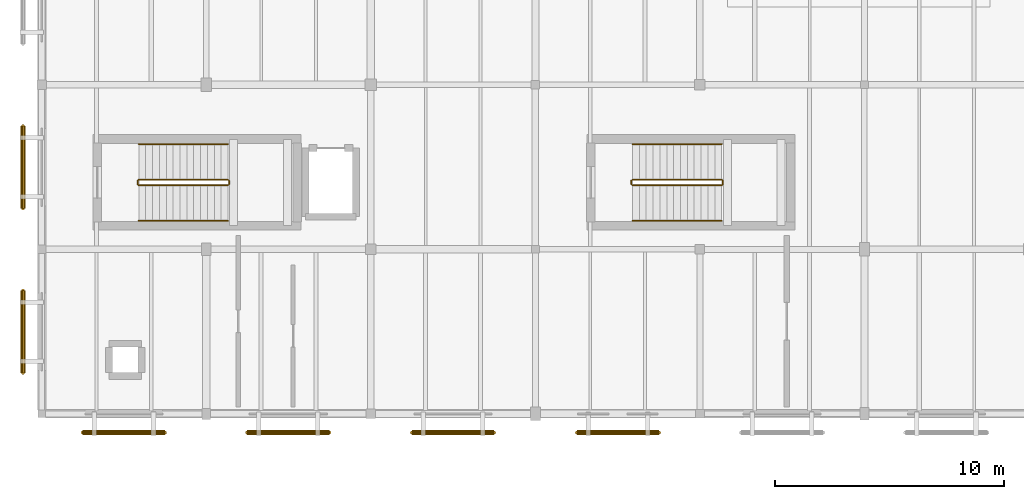
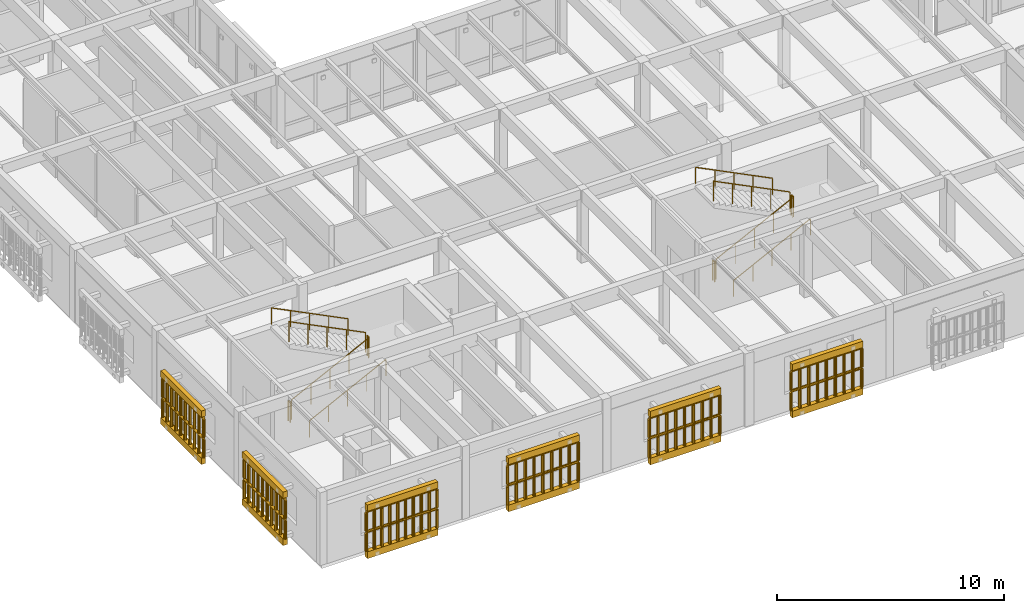
# One storey, part 96 of 112: 24 railings, 12 coverings.
"""IFC4 building model written with IfcOpenShell, lengths in metres."""

from ifc_helpers import new_model, si_unit, direction, frame, origin, origin_2d, place, context, subcontext, project, spatial, polyline, circle, outline, extrude, material, layer, layer_set, type_object, element, save


model = new_model("IFC4")

# Units and contexts
model_context = context("Model", 3, precision=1e-05, world=origin(), true_north=direction((0.0, 1.0)))
body_context = subcontext(model_context, "Body", "Model", "MODEL_VIEW")
ifc_project = project(units=[si_unit("LENGTHUNIT", "METRE"), si_unit("AREAUNIT", "SQUARE_METRE"), si_unit("VOLUMEUNIT", "CUBIC_METRE"), si_unit("PLANEANGLEUNIT", "RADIAN"), si_unit("MASSUNIT", "GRAM", prefix="KILO")], contexts=[model_context])

# Site, building, storey
site_placement = place(None, origin())
site = spatial("IfcSite", under=ifc_project, at=site_placement, CompositionType="ELEMENT")
building_placement = place(site_placement, origin())
building = spatial("IfcBuilding", under=site, at=building_placement, Name="Mazaris Harbour Polytechnic", CompositionType="ELEMENT")
storey_placement = place(building_placement, frame((0.0, 0.0, 13.800048828125)))
storey = spatial("IfcBuildingStorey", under=building, at=storey_placement, Name="L03", CompositionType="ELEMENT", Elevation=13.800048828125)

# Railings
ifc_material_1 = material(Name="Perforated Earth-Coloured Terracotta Block", Category="masonry")
railing_type_1 = type_object("IfcRailingType", Name="Perforated Earth-Block Claustra Lattice 1040", PredefinedType="BALUSTRADE", material=ifc_material_1)
for number, where, name in (
    (1, (5.39501953125, 6.3798828125, 0.52001953125), "V4 L03 Lower Perforated Terracotta Block Screen 247"),
    (2, (5.39501953125, 6.3798828125, 1.60986328125), "V4 L03 Upper Perforated Terracotta Block Screen 247"),
):
    element("IfcRailing", number, at=place(storey_placement, frame(where)), inside=storey, type_object=railing_type_1, Name=name, PredefinedType="BALUSTRADE", context=body_context, shape_type="SweptSolid", body=[
        extrude(circle(Radius=0.06982421875, at=origin_2d()), frame((0.0, 0.0, 1.02001953125), z_axis=(-1.0, 0.0, 0.0), x_axis=(0.0, -1.0, 0.0)), (0.0, 0.0, 1.0), 3.60009765625),
        extrude(circle(Radius=0.074951171875, at=origin_2d()), origin(), (0.0, 0.0, 1.0), 0.9501953125),
        extrude(circle(Radius=0.074951171875, at=origin_2d()), frame((-0.39990234375, 0.0, 0.0)), (0.0, 0.0, 1.0), 0.9501953125),
        extrude(circle(Radius=0.074951171875, at=origin_2d()), frame((-0.800048828125, 0.0, 0.0)), (0.0, 0.0, 1.0), 0.9501953125),
        extrude(circle(Radius=0.074951171875, at=origin_2d()), frame((-1.199951171875, 0.0, 0.0)), (0.0, 0.0, 1.0), 0.9501953125),
        extrude(circle(Radius=0.074951171875, at=origin_2d()), frame((-1.60009765625, 0.0, 0.0)), (0.0, 0.0, 1.0), 0.9501953125),
        extrude(circle(Radius=0.074951171875, at=origin_2d()), frame((-2.0, 0.0, 0.0)), (0.0, 0.0, 1.0), 0.9501953125),
        extrude(circle(Radius=0.074951171875, at=origin_2d()), frame((-2.400146484375, 0.0, 0.0)), (0.0, 0.0, 1.0), 0.9501953125),
        extrude(circle(Radius=0.074951171875, at=origin_2d()), frame((-2.800048828125, 0.0, 0.0)), (0.0, 0.0, 1.0), 0.9501953125),
        extrude(circle(Radius=0.074951171875, at=origin_2d()), frame((-3.2001953125, 0.0, 0.0)), (0.0, 0.0, 1.0), 0.9501953125),
        extrude(circle(Radius=0.074951171875, at=origin_2d()), frame((-3.60009765625, 0.0, 0.0)), (0.0, 0.0, 1.0), 0.9501953125),
    ])
for number, where, name in (
    (3, (12.5849609375, 6.3798828125, 0.52001953125), "V4 L03 Lower Perforated Terracotta Block Screen 248"),
    (4, (12.5849609375, 6.3798828125, 1.60986328125), "V4 L03 Upper Perforated Terracotta Block Screen 248"),
    (5, (19.794921875, 6.3798828125, 0.52001953125), "V4 L03 Lower Perforated Terracotta Block Screen 249"),
    (6, (19.794921875, 6.3798828125, 1.60986328125), "V4 L03 Upper Perforated Terracotta Block Screen 249"),
    (7, (27.014892578125, 6.3798828125, 0.52001953125), "V4 L03 Lower Perforated Terracotta Block Screen 250"),
    (8, (27.014892578125, 6.3798828125, 1.60986328125), "V4 L03 Upper Perforated Terracotta Block Screen 250"),
):
    element("IfcRailing", number, at=place(storey_placement, frame(where)), inside=storey, type_object=railing_type_1, Name=name, PredefinedType="BALUSTRADE", context=body_context, shape_type="SweptSolid", body=[
        extrude(circle(Radius=0.06982421875, at=origin_2d()), frame((0.0, 0.0, 1.02001953125), z_axis=(-1.0, 0.0, 0.0), x_axis=(0.0, -1.0, 0.0)), (0.0, 0.0, 1.0), 3.599853515625),
        extrude(circle(Radius=0.074951171875, at=origin_2d()), origin(), (0.0, 0.0, 1.0), 0.9501953125),
        extrude(circle(Radius=0.074951171875, at=origin_2d()), frame((-0.449951171875, 0.0, 0.0)), (0.0, 0.0, 1.0), 0.9501953125),
        extrude(circle(Radius=0.074951171875, at=origin_2d()), frame((-0.89990234375, 0.0, 0.0)), (0.0, 0.0, 1.0), 0.9501953125),
        extrude(circle(Radius=0.074951171875, at=origin_2d()), frame((-1.349853515625, 0.0, 0.0)), (0.0, 0.0, 1.0), 0.9501953125),
        extrude(circle(Radius=0.074951171875, at=origin_2d()), frame((-1.7998046875, 0.0, 0.0)), (0.0, 0.0, 1.0), 0.9501953125),
        extrude(circle(Radius=0.074951171875, at=origin_2d()), frame((-2.25, 0.0, 0.0)), (0.0, 0.0, 1.0), 0.9501953125),
        extrude(circle(Radius=0.074951171875, at=origin_2d()), frame((-2.699951171875, 0.0, 0.0)), (0.0, 0.0, 1.0), 0.9501953125),
        extrude(circle(Radius=0.074951171875, at=origin_2d()), frame((-3.14990234375, 0.0, 0.0)), (0.0, 0.0, 1.0), 0.9501953125),
        extrude(circle(Radius=0.074951171875, at=origin_2d()), frame((-3.599853515625, 0.0, 0.0)), (0.0, 0.0, 1.0), 0.9501953125),
    ])
for number, where, name in (
    (9, (-0.820068359375, 8.989990234375, 0.52001953125), "V4 L03 Lower Perforated Terracotta Block Screen 259"),
    (10, (-0.820068359375, 8.989990234375, 1.60986328125), "V4 L03 Upper Perforated Terracotta Block Screen 259"),
    (11, (-0.820068359375, 16.18994140625, 0.52001953125), "V4 L03 Lower Perforated Terracotta Block Screen 260"),
    (12, (-0.820068359375, 16.18994140625, 1.60986328125), "V4 L03 Upper Perforated Terracotta Block Screen 260"),
):
    element("IfcRailing", number, at=place(storey_placement, frame(where)), inside=storey, type_object=railing_type_1, Name=name, PredefinedType="BALUSTRADE", context=body_context, shape_type="SweptSolid", body=[
        extrude(circle(Radius=0.06982421875, at=origin_2d()), frame((0.0, 0.0, 1.02001953125), z_axis=(0.0, 1.0, 0.0), x_axis=(-1.0, 0.0, 0.0)), (0.0, 0.0, 1.0), 3.60009765625),
        extrude(circle(Radius=0.074951171875, at=origin_2d()), origin(), (0.0, 0.0, 1.0), 0.9501953125),
        extrude(circle(Radius=0.074951171875, at=origin_2d()), frame((0.0, 0.39990234375, 0.0)), (0.0, 0.0, 1.0), 0.9501953125),
        extrude(circle(Radius=0.074951171875, at=origin_2d()), frame((0.0, 0.800048828125, 0.0)), (0.0, 0.0, 1.0), 0.9501953125),
        extrude(circle(Radius=0.074951171875, at=origin_2d()), frame((0.0, 1.199951171875, 0.0)), (0.0, 0.0, 1.0), 0.9501953125),
        extrude(circle(Radius=0.074951171875, at=origin_2d()), frame((0.0, 1.60009765625, 0.0)), (0.0, 0.0, 1.0), 0.9501953125),
        extrude(circle(Radius=0.074951171875, at=origin_2d()), frame((0.0, 2.0, 0.0)), (0.0, 0.0, 1.0), 0.9501953125),
        extrude(circle(Radius=0.074951171875, at=origin_2d()), frame((0.0, 2.400146484375, 0.0)), (0.0, 0.0, 1.0), 0.9501953125),
        extrude(circle(Radius=0.074951171875, at=origin_2d()), frame((0.0, 2.800048828125, 0.0)), (0.0, 0.0, 1.0), 0.9501953125),
        extrude(circle(Radius=0.074951171875, at=origin_2d()), frame((0.0, 3.2001953125, 0.0)), (0.0, 0.0, 1.0), 0.9501953125),
        extrude(circle(Radius=0.074951171875, at=origin_2d()), frame((0.0, 3.60009765625, 0.0)), (0.0, 0.0, 1.0), 0.9501953125),
    ])
ifc_material_2 = material(Name="Stainless Steel S355", Category="steel")
railing_type_2 = type_object("IfcRailingType", Name="Stair Wall Handrail 900", PredefinedType="HANDRAIL", material=ifc_material_2)
railing_1_placement = place(storey_placement, frame((4.25, 15.64990234375, 0.14990234375)))
element("IfcRailing", 13, at=railing_1_placement, inside=storey, type_object=railing_type_2, Name="L03 ST07 stair handrail 1", PredefinedType="HANDRAIL", context=body_context, shape_type="SweptSolid", body=[
    extrude(circle(Radius=0.02392578125, at=origin_2d()), frame((0.0, 0.0, 0.8759765625), z_axis=(0.894427191, 0.0, 0.4472135955), x_axis=(0.0, 1.0, 0.0)), (0.0, 0.0, 1.0), 4.360107421875),
    extrude(circle(Radius=0.02099609375, at=origin_2d()), origin(), (0.0, 0.0, 1.0), 0.851806640625),
    extrude(circle(Radius=0.02099609375, at=origin_2d()), frame((0.97509765625, 0.0, 0.487548828125)), (0.0, 0.0, 1.0), 0.851806640625),
    extrude(circle(Radius=0.02099609375, at=origin_2d()), frame((1.949951171875, 0.0, 0.97509765625)), (0.0, 0.0, 1.0), 0.851806640625),
    extrude(circle(Radius=0.02099609375, at=origin_2d()), frame((2.9248046875, 0.0, 1.46240234375)), (0.0, 0.0, 1.0), 0.851806640625),
    extrude(circle(Radius=0.02099609375, at=origin_2d()), frame((3.89990234375, 0.0, 1.949951171875)), (0.0, 0.0, 1.0), 0.851806640625),
])
railing_2_placement = place(storey_placement, frame((8.14990234375, 19.0, 2.25)))
element("IfcRailing", 14, at=railing_2_placement, inside=storey, type_object=railing_type_2, Name="L03 ST07 stair handrail 2", PredefinedType="HANDRAIL", context=body_context, shape_type="SweptSolid", body=[
    extrude(circle(Radius=0.02392578125, at=origin_2d()), frame((0.0, 0.0, 0.8759765625), z_axis=(-0.894427191, 0.0, 0.4472135955), x_axis=(0.0, -1.0, 0.0)), (0.0, 0.0, 1.0), 4.360107421875),
    extrude(circle(Radius=0.02099609375, at=origin_2d()), origin(), (0.0, 0.0, 1.0), 0.851806640625),
    extrude(circle(Radius=0.02099609375, at=origin_2d()), frame((-0.97509765625, 0.0, 0.487548828125)), (0.0, 0.0, 1.0), 0.851806640625),
    extrude(circle(Radius=0.02099609375, at=origin_2d()), frame((-1.949951171875, 0.0, 0.97509765625)), (0.0, 0.0, 1.0), 0.851806640625),
    extrude(circle(Radius=0.02099609375, at=origin_2d()), frame((-2.9248046875, 0.0, 1.46240234375)), (0.0, 0.0, 1.0), 0.851806640625),
    extrude(circle(Radius=0.02099609375, at=origin_2d()), frame((-3.89990234375, 0.0, 1.949951171875)), (0.0, 0.0, 1.0), 0.851806640625),
])
railing_3_placement = place(storey_placement, frame((25.85009765625, 15.64990234375, 0.14990234375)))
element("IfcRailing", 15, at=railing_3_placement, inside=storey, type_object=railing_type_2, Name="L03 ST08 stair handrail 1", PredefinedType="HANDRAIL", context=body_context, shape_type="SweptSolid", body=[
    extrude(circle(Radius=0.02392578125, at=origin_2d()), frame((0.0, 0.0, 0.8759765625), z_axis=(0.894427191, 0.0, 0.4472135955), x_axis=(0.0, 1.0, 0.0)), (0.0, 0.0, 1.0), 4.360107421875),
    extrude(circle(Radius=0.02099609375, at=origin_2d()), origin(), (0.0, 0.0, 1.0), 0.851806640625),
    extrude(circle(Radius=0.02099609375, at=origin_2d()), frame((0.97509765625, 0.0, 0.487548828125)), (0.0, 0.0, 1.0), 0.851806640625),
    extrude(circle(Radius=0.02099609375, at=origin_2d()), frame((1.949951171875, 0.0, 0.97509765625)), (0.0, 0.0, 1.0), 0.851806640625),
    extrude(circle(Radius=0.02099609375, at=origin_2d()), frame((2.9248046875, 0.0, 1.46240234375)), (0.0, 0.0, 1.0), 0.851806640625),
    extrude(circle(Radius=0.02099609375, at=origin_2d()), frame((3.89990234375, 0.0, 1.949951171875)), (0.0, 0.0, 1.0), 0.851806640625),
])
railing_4_placement = place(storey_placement, frame((29.75, 19.0, 2.25)))
element("IfcRailing", 16, at=railing_4_placement, inside=storey, type_object=railing_type_2, Name="L03 ST08 stair handrail 2", PredefinedType="HANDRAIL", context=body_context, shape_type="SweptSolid", body=[
    extrude(circle(Radius=0.02392578125, at=origin_2d()), frame((0.0, 0.0, 0.8759765625), z_axis=(-0.894427191, 0.0, 0.4472135955), x_axis=(0.0, -1.0, 0.0)), (0.0, 0.0, 1.0), 4.360107421875),
    extrude(circle(Radius=0.02099609375, at=origin_2d()), origin(), (0.0, 0.0, 1.0), 0.851806640625),
    extrude(circle(Radius=0.02099609375, at=origin_2d()), frame((-0.97509765625, 0.0, 0.487548828125)), (0.0, 0.0, 1.0), 0.851806640625),
    extrude(circle(Radius=0.02099609375, at=origin_2d()), frame((-1.949951171875, 0.0, 0.97509765625)), (0.0, 0.0, 1.0), 0.851806640625),
    extrude(circle(Radius=0.02099609375, at=origin_2d()), frame((-2.9248046875, 0.0, 1.46240234375)), (0.0, 0.0, 1.0), 0.851806640625),
    extrude(circle(Radius=0.02099609375, at=origin_2d()), frame((-3.89990234375, 0.0, 1.949951171875)), (0.0, 0.0, 1.0), 0.851806640625),
])
ifc_material_3 = material(Name="Steel S355", Category="steel")
railing_type_3 = type_object("IfcRailingType", Name="Stair Well Guardrail 1100", PredefinedType="GUARDRAIL", material=ifc_material_3)
railing_5_placement = place(storey_placement, frame((4.25, 17.199951171875, 0.14990234375)))
element("IfcRailing", 17, at=railing_5_placement, inside=storey, type_object=railing_type_3, Name="L03 ST07 stair guard 1", PredefinedType="GUARDRAIL", context=body_context, shape_type="SweptSolid", body=[
    extrude(circle(Radius=0.02392578125, at=origin_2d()), frame((0.0, 0.0, 1.076171875), z_axis=(0.894427191, 0.0, 0.4472135955), x_axis=(0.0, 1.0, 0.0)), (0.0, 0.0, 1.0), 4.360107421875),
    extrude(circle(Radius=0.02099609375, at=origin_2d()), origin(), (0.0, 0.0, 1.0), 1.052001953125),
    extrude(circle(Radius=0.02099609375, at=origin_2d()), frame((0.97509765625, 0.0, 0.487548828125)), (0.0, 0.0, 1.0), 1.052001953125),
    extrude(circle(Radius=0.02099609375, at=origin_2d()), frame((1.949951171875, 0.0, 0.97509765625)), (0.0, 0.0, 1.0), 1.052001953125),
    extrude(circle(Radius=0.02099609375, at=origin_2d()), frame((2.9248046875, 0.0, 1.46240234375)), (0.0, 0.0, 1.0), 1.052001953125),
    extrude(circle(Radius=0.02099609375, at=origin_2d()), frame((3.89990234375, 0.0, 1.949951171875)), (0.0, 0.0, 1.0), 1.052001953125),
])
railing_6_placement = place(storey_placement, frame((8.199951171875, 17.25, 2.099853515625)))
element("IfcRailing", 18, at=railing_6_placement, inside=storey, type_object=railing_type_3, Name="L03 ST07 stair guard 2", PredefinedType="GUARDRAIL", context=body_context, shape_type="SweptSolid", body=[
    extrude(circle(Radius=0.02392578125, at=origin_2d()), frame((0.0, 0.0, 1.076171875), z_axis=(0.0, 1.0, 0.0), x_axis=(-1.0, 0.0, 0.0)), (0.0, 0.0, 1.0), 0.14990234375),
    extrude(circle(Radius=0.02099609375, at=origin_2d()), origin(), (0.0, 0.0, 1.0), 1.052001953125),
    extrude(circle(Radius=0.02099609375, at=origin_2d()), frame((0.0, 0.14990234375, 0.0)), (0.0, 0.0, 1.0), 1.052001953125),
])
railing_7_placement = place(storey_placement, frame((8.14990234375, 17.449951171875, 2.25)))
element("IfcRailing", 19, at=railing_7_placement, inside=storey, type_object=railing_type_3, Name="L03 ST07 stair guard 3", PredefinedType="GUARDRAIL", context=body_context, shape_type="SweptSolid", body=[
    extrude(circle(Radius=0.02392578125, at=origin_2d()), frame((0.0, 0.0, 1.076171875), z_axis=(-0.894427191, 0.0, 0.4472135955), x_axis=(0.0, -1.0, 0.0)), (0.0, 0.0, 1.0), 4.360107421875),
    extrude(circle(Radius=0.02099609375, at=origin_2d()), origin(), (0.0, 0.0, 1.0), 1.052001953125),
    extrude(circle(Radius=0.02099609375, at=origin_2d()), frame((-0.97509765625, 0.0, 0.487548828125)), (0.0, 0.0, 1.0), 1.052001953125),
    extrude(circle(Radius=0.02099609375, at=origin_2d()), frame((-1.949951171875, 0.0, 0.97509765625)), (0.0, 0.0, 1.0), 1.052001953125),
    extrude(circle(Radius=0.02099609375, at=origin_2d()), frame((-2.9248046875, 0.0, 1.46240234375)), (0.0, 0.0, 1.0), 1.052001953125),
    extrude(circle(Radius=0.02099609375, at=origin_2d()), frame((-3.89990234375, 0.0, 1.949951171875)), (0.0, 0.0, 1.0), 1.052001953125),
])
railing_8_placement = place(storey_placement, frame((4.199951171875, 17.25, 0.0)))
element("IfcRailing", 20, at=railing_8_placement, inside=storey, type_object=railing_type_3, Name="L03 ST07 stair guard 4", PredefinedType="GUARDRAIL", context=body_context, shape_type="SweptSolid", body=[
    extrude(circle(Radius=0.02392578125, at=origin_2d()), frame((0.0, 0.0, 1.076171875), z_axis=(0.0, 1.0, 0.0), x_axis=(-1.0, 0.0, 0.0)), (0.0, 0.0, 1.0), 0.14990234375),
    extrude(circle(Radius=0.02099609375, at=origin_2d()), origin(), (0.0, 0.0, 1.0), 1.052001953125),
    extrude(circle(Radius=0.02099609375, at=origin_2d()), frame((0.0, 0.14990234375, 0.0)), (0.0, 0.0, 1.0), 1.052001953125),
])
railing_9_placement = place(storey_placement, frame((25.85009765625, 17.199951171875, 0.14990234375)))
element("IfcRailing", 21, at=railing_9_placement, inside=storey, type_object=railing_type_3, Name="L03 ST08 stair guard 1", PredefinedType="GUARDRAIL", context=body_context, shape_type="SweptSolid", body=[
    extrude(circle(Radius=0.02392578125, at=origin_2d()), frame((0.0, 0.0, 1.076171875), z_axis=(0.894427191, 0.0, 0.4472135955), x_axis=(0.0, 1.0, 0.0)), (0.0, 0.0, 1.0), 4.360107421875),
    extrude(circle(Radius=0.02099609375, at=origin_2d()), origin(), (0.0, 0.0, 1.0), 1.052001953125),
    extrude(circle(Radius=0.02099609375, at=origin_2d()), frame((0.97509765625, 0.0, 0.487548828125)), (0.0, 0.0, 1.0), 1.052001953125),
    extrude(circle(Radius=0.02099609375, at=origin_2d()), frame((1.949951171875, 0.0, 0.97509765625)), (0.0, 0.0, 1.0), 1.052001953125),
    extrude(circle(Radius=0.02099609375, at=origin_2d()), frame((2.9248046875, 0.0, 1.46240234375)), (0.0, 0.0, 1.0), 1.052001953125),
    extrude(circle(Radius=0.02099609375, at=origin_2d()), frame((3.89990234375, 0.0, 1.949951171875)), (0.0, 0.0, 1.0), 1.052001953125),
])
railing_10_placement = place(storey_placement, frame((29.800048828125, 17.25, 2.099853515625)))
element("IfcRailing", 22, at=railing_10_placement, inside=storey, type_object=railing_type_3, Name="L03 ST08 stair guard 2", PredefinedType="GUARDRAIL", context=body_context, shape_type="SweptSolid", body=[
    extrude(circle(Radius=0.02392578125, at=origin_2d()), frame((0.0, 0.0, 1.076171875), z_axis=(0.0, 1.0, 0.0), x_axis=(-1.0, 0.0, 0.0)), (0.0, 0.0, 1.0), 0.14990234375),
    extrude(circle(Radius=0.02099609375, at=origin_2d()), origin(), (0.0, 0.0, 1.0), 1.052001953125),
    extrude(circle(Radius=0.02099609375, at=origin_2d()), frame((0.0, 0.14990234375, 0.0)), (0.0, 0.0, 1.0), 1.052001953125),
])
railing_11_placement = place(storey_placement, frame((29.75, 17.449951171875, 2.25)))
element("IfcRailing", 23, at=railing_11_placement, inside=storey, type_object=railing_type_3, Name="L03 ST08 stair guard 3", PredefinedType="GUARDRAIL", context=body_context, shape_type="SweptSolid", body=[
    extrude(circle(Radius=0.02392578125, at=origin_2d()), frame((0.0, 0.0, 1.076171875), z_axis=(-0.894427191, 0.0, 0.4472135955), x_axis=(0.0, -1.0, 0.0)), (0.0, 0.0, 1.0), 4.360107421875),
    extrude(circle(Radius=0.02099609375, at=origin_2d()), origin(), (0.0, 0.0, 1.0), 1.052001953125),
    extrude(circle(Radius=0.02099609375, at=origin_2d()), frame((-0.97509765625, 0.0, 0.487548828125)), (0.0, 0.0, 1.0), 1.052001953125),
    extrude(circle(Radius=0.02099609375, at=origin_2d()), frame((-1.949951171875, 0.0, 0.97509765625)), (0.0, 0.0, 1.0), 1.052001953125),
    extrude(circle(Radius=0.02099609375, at=origin_2d()), frame((-2.9248046875, 0.0, 1.46240234375)), (0.0, 0.0, 1.0), 1.052001953125),
    extrude(circle(Radius=0.02099609375, at=origin_2d()), frame((-3.89990234375, 0.0, 1.949951171875)), (0.0, 0.0, 1.0), 1.052001953125),
])
railing_12_placement = place(storey_placement, frame((25.800048828125, 17.25, 0.0)))
element("IfcRailing", 24, at=railing_12_placement, inside=storey, type_object=railing_type_3, Name="L03 ST08 stair guard 4", PredefinedType="GUARDRAIL", context=body_context, shape_type="SweptSolid", body=[
    extrude(circle(Radius=0.02392578125, at=origin_2d()), frame((0.0, 0.0, 1.076171875), z_axis=(0.0, 1.0, 0.0), x_axis=(-1.0, 0.0, 0.0)), (0.0, 0.0, 1.0), 0.14990234375),
    extrude(circle(Radius=0.02099609375, at=origin_2d()), origin(), (0.0, 0.0, 1.0), 1.052001953125),
    extrude(circle(Radius=0.02099609375, at=origin_2d()), frame((0.0, 0.14990234375, 0.0)), (0.0, 0.0, 1.0), 1.052001953125),
])

# Coverings
ifc_material_4 = material(Name="Perforated Earth-Coloured Terracotta Block", Category="masonry")
ifc_layer = layer(ifc_material_4, 0.219970703125, Name="Perforated Earth-Coloured Terracotta Block")
ifc_layer_set = layer_set([ifc_layer], Name="Perforated Earth-Coloured Terracotta Block")
covering_type = type_object("IfcCoveringType", Name="Terracotta Screen Course Cladding 220", PredefinedType="CLADDING", material=ifc_layer_set)
covering_1_placement = place(storey_placement, frame((0.0, 0.0, 0.159912109375)))
element("IfcCovering", 25, at=covering_1_placement, inside=storey, type_object=covering_type, Name="V4 L03 Perforated Screen Sill Course 247", PredefinedType="CLADDING", context=body_context, shape_type="SweptSolid", body=[
    extrude(outline(polyline([(5.39501953125, 6.489990234375), (1.794921875, 6.489990234375), (1.794921875, 6.27001953125), (5.39501953125, 6.27001953125), (5.39501953125, 6.489990234375)])), origin(), (0.0, 0.0, 1.0), 0.360107421875),
])
covering_2_placement = place(storey_placement, frame((0.0, 0.0, 2.699951171875)))
element("IfcCovering", 26, at=covering_2_placement, inside=storey, type_object=covering_type, Name="V4 L03 Perforated Screen Lintel Course 247", PredefinedType="CLADDING", context=body_context, shape_type="SweptSolid", body=[
    extrude(outline(polyline([(5.39501953125, 6.489990234375), (1.794921875, 6.489990234375), (1.794921875, 6.27001953125), (5.39501953125, 6.27001953125), (5.39501953125, 6.489990234375)])), origin(), (0.0, 0.0, 1.0), 0.340087890625),
])
covering_3_placement = place(storey_placement, frame((0.0, 0.0, 0.159912109375)))
element("IfcCovering", 27, at=covering_3_placement, inside=storey, type_object=covering_type, Name="V4 L03 Perforated Screen Sill Course 248", PredefinedType="CLADDING", context=body_context, shape_type="SweptSolid", body=[
    extrude(outline(polyline([(12.5849609375, 6.489990234375), (8.985107421875, 6.489990234375), (8.985107421875, 6.27001953125), (12.5849609375, 6.27001953125), (12.5849609375, 6.489990234375)])), origin(), (0.0, 0.0, 1.0), 0.360107421875),
])
covering_4_placement = place(storey_placement, frame((0.0, 0.0, 2.699951171875)))
element("IfcCovering", 28, at=covering_4_placement, inside=storey, type_object=covering_type, Name="V4 L03 Perforated Screen Lintel Course 248", PredefinedType="CLADDING", context=body_context, shape_type="SweptSolid", body=[
    extrude(outline(polyline([(12.5849609375, 6.489990234375), (8.985107421875, 6.489990234375), (8.985107421875, 6.27001953125), (12.5849609375, 6.27001953125), (12.5849609375, 6.489990234375)])), origin(), (0.0, 0.0, 1.0), 0.340087890625),
])
covering_5_placement = place(storey_placement, frame((0.0, 0.0, 0.159912109375)))
element("IfcCovering", 29, at=covering_5_placement, inside=storey, type_object=covering_type, Name="V4 L03 Perforated Screen Sill Course 249", PredefinedType="CLADDING", context=body_context, shape_type="SweptSolid", body=[
    extrude(outline(polyline([(19.794921875, 6.489990234375), (16.195068359375, 6.489990234375), (16.195068359375, 6.27001953125), (19.794921875, 6.27001953125), (19.794921875, 6.489990234375)])), origin(), (0.0, 0.0, 1.0), 0.360107421875),
])
covering_6_placement = place(storey_placement, frame((0.0, 0.0, 2.699951171875)))
element("IfcCovering", 30, at=covering_6_placement, inside=storey, type_object=covering_type, Name="V4 L03 Perforated Screen Lintel Course 249", PredefinedType="CLADDING", context=body_context, shape_type="SweptSolid", body=[
    extrude(outline(polyline([(19.794921875, 6.489990234375), (16.195068359375, 6.489990234375), (16.195068359375, 6.27001953125), (19.794921875, 6.27001953125), (19.794921875, 6.489990234375)])), origin(), (0.0, 0.0, 1.0), 0.340087890625),
])
covering_7_placement = place(storey_placement, frame((0.0, 0.0, 0.159912109375)))
element("IfcCovering", 31, at=covering_7_placement, inside=storey, type_object=covering_type, Name="V4 L03 Perforated Screen Sill Course 250", PredefinedType="CLADDING", context=body_context, shape_type="SweptSolid", body=[
    extrude(outline(polyline([(27.014892578125, 6.489990234375), (23.4150390625, 6.489990234375), (23.4150390625, 6.27001953125), (27.014892578125, 6.27001953125), (27.014892578125, 6.489990234375)])), origin(), (0.0, 0.0, 1.0), 0.360107421875),
])
covering_8_placement = place(storey_placement, frame((0.0, 0.0, 2.699951171875)))
element("IfcCovering", 32, at=covering_8_placement, inside=storey, type_object=covering_type, Name="V4 L03 Perforated Screen Lintel Course 250", PredefinedType="CLADDING", context=body_context, shape_type="SweptSolid", body=[
    extrude(outline(polyline([(27.014892578125, 6.489990234375), (23.4150390625, 6.489990234375), (23.4150390625, 6.27001953125), (27.014892578125, 6.27001953125), (27.014892578125, 6.489990234375)])), origin(), (0.0, 0.0, 1.0), 0.340087890625),
])
covering_9_placement = place(storey_placement, frame((0.0, 0.0, 0.159912109375)))
element("IfcCovering", 33, at=covering_9_placement, inside=storey, type_object=covering_type, Name="V4 L03 Perforated Screen Sill Course 259", PredefinedType="CLADDING", context=body_context, shape_type="SweptSolid", body=[
    extrude(outline(polyline([(-0.7099609375, 8.989990234375), (-0.7099609375, 12.590087890625), (-0.929931640625, 12.590087890625), (-0.929931640625, 8.989990234375), (-0.7099609375, 8.989990234375)])), origin(), (0.0, 0.0, 1.0), 0.360107421875),
])
covering_10_placement = place(storey_placement, frame((0.0, 0.0, 2.699951171875)))
element("IfcCovering", 34, at=covering_10_placement, inside=storey, type_object=covering_type, Name="V4 L03 Perforated Screen Lintel Course 259", PredefinedType="CLADDING", context=body_context, shape_type="SweptSolid", body=[
    extrude(outline(polyline([(-0.7099609375, 8.989990234375), (-0.7099609375, 12.590087890625), (-0.929931640625, 12.590087890625), (-0.929931640625, 8.989990234375), (-0.7099609375, 8.989990234375)])), origin(), (0.0, 0.0, 1.0), 0.340087890625),
])
covering_11_placement = place(storey_placement, frame((0.0, 0.0, 0.159912109375)))
element("IfcCovering", 35, at=covering_11_placement, inside=storey, type_object=covering_type, Name="V4 L03 Perforated Screen Sill Course 260", PredefinedType="CLADDING", context=body_context, shape_type="SweptSolid", body=[
    extrude(outline(polyline([(-0.7099609375, 16.18994140625), (-0.7099609375, 19.7900390625), (-0.929931640625, 19.7900390625), (-0.929931640625, 16.18994140625), (-0.7099609375, 16.18994140625)])), origin(), (0.0, 0.0, 1.0), 0.360107421875),
])
covering_12_placement = place(storey_placement, frame((0.0, 0.0, 2.699951171875)))
element("IfcCovering", 36, at=covering_12_placement, inside=storey, type_object=covering_type, Name="V4 L03 Perforated Screen Lintel Course 260", PredefinedType="CLADDING", context=body_context, shape_type="SweptSolid", body=[
    extrude(outline(polyline([(-0.7099609375, 16.18994140625), (-0.7099609375, 19.7900390625), (-0.929931640625, 19.7900390625), (-0.929931640625, 16.18994140625), (-0.7099609375, 16.18994140625)])), origin(), (0.0, 0.0, 1.0), 0.340087890625),
])

save(model, "model.ifc")
